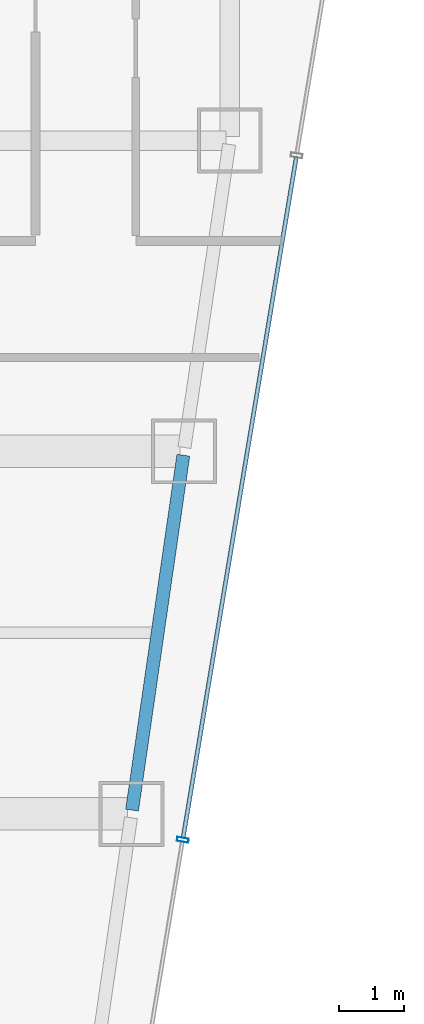
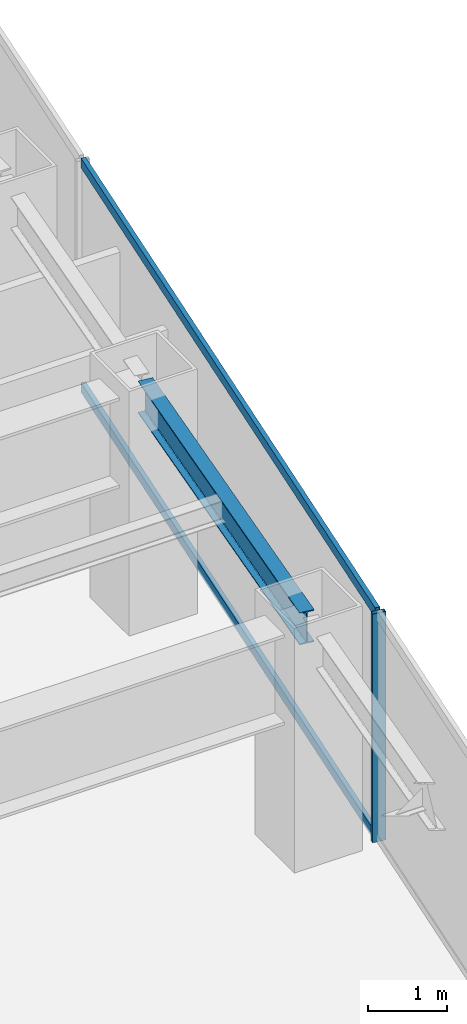
# One storey, part 18 of 37: 3 members, 1 beam, 1 element without a shape of its own.
"""IFC4 building model written with IfcOpenShell, lengths in metres."""

from ifc_helpers import new_model, si_unit, direction, frame, origin, origin_2d, place, context, subcontext, project, spatial, hollow_rectangle, i_section, extrude, material, material_profile, profile_set, type_object, element, aggregate, save


model = new_model("IFC4")

# Units and contexts
model_context = context("Model", 3, precision=1e-05, world=origin(), true_north=direction((0.0, 1.0)))
body_context = subcontext(model_context, "Body", "Model", "MODEL_VIEW")
ifc_project = project(units=[si_unit("LENGTHUNIT", "METRE"), si_unit("AREAUNIT", "SQUARE_METRE"), si_unit("VOLUMEUNIT", "CUBIC_METRE"), si_unit("PLANEANGLEUNIT", "RADIAN"), si_unit("MASSUNIT", "GRAM", prefix="KILO")], contexts=[model_context])

# Site, building, storey
site_placement = place(None, origin())
site = spatial("IfcSite", under=ifc_project, at=site_placement, CompositionType="ELEMENT")
building_placement = place(site_placement, origin())
building = spatial("IfcBuilding", under=site, at=building_placement, Name="Saevonmaru Cultural Tower", CompositionType="ELEMENT")
storey_placement = place(building_placement, frame((0.0, 0.0, 163.800048828125)))
storey = spatial("IfcBuildingStorey", under=building, at=storey_placement, Name="L36", CompositionType="ELEMENT", Elevation=163.800048828125)

# Beam
ifc_material_1 = material(Name="Steel SM355", Category="steel")
ifc_material_profile_1 = material_profile(ifc_material_1, i_section(OverallWidth=0.199951171875, OverallDepth=0.5, WebThickness=0.010009765625, FlangeThickness=0.01611328125, FilletRadius=0.02001953125, at=origin_2d()), Name="H-500x200x10x16")
ifc_profile_set_1 = profile_set([ifc_material_profile_1], Name="Steel SM355")
beam_type = type_object("IfcBeamType", Name="BM-SP-H500", PredefinedType="SPANDREL", material=ifc_profile_set_1)
beam_placement = place(storey_placement, frame((51.691650390625, 32.059326171875, 3.300048828125), z_axis=(0.142964121327, 0.989727871697, 0.0), x_axis=(-0.989727871697, 0.142964121327, 0.0)))
element("IfcBeam", 1, at=beam_placement, inside=storey, type_object=beam_type, Name="L36 East Splayed Spandrel 4", PredefinedType="SPANDREL", context=body_context, shape_type="SweptSolid", body=[
    extrude(i_section(OverallWidth=0.199951171875, OverallDepth=0.5, WebThickness=0.010009765625, FlangeThickness=0.01611328125, FilletRadius=0.02001953125, at=origin_2d()), origin(), (0.0, 0.0, 1.0), 5.5380859375),
])

# Curtain wall, members
ifc_material_2 = material(Name="Satin Bronze Anodised Aluminium", Category="aluminium")
curtain_wall_type = type_object("IfcCurtainWallType", Name="CW-TYP-A", PredefinedType="NOTDEFINED", material=ifc_material_2)
curtain_wall_placement = place(storey_placement, origin())
curtain_wall = element("IfcCurtainWall", 2, at=curtain_wall_placement, inside=storey, type_object=curtain_wall_type, Name="L36 Unitised Curtain Wall E8", PredefinedType="NOTDEFINED")
ifc_material_profile_2 = material_profile(ifc_material_2, hollow_rectangle(XDim=0.06494140625, YDim=0.179931640625, WallThickness=0.00390625, at=origin_2d()), Name="ALU-MULL-180x65x4")
ifc_profile_set_2 = profile_set([ifc_material_profile_2], Name="Satin Bronze Anodised Aluminium")
member_type_1 = type_object("IfcMemberType", Name="ML-CW-180x65", PredefinedType="MULLION", material=ifc_profile_set_2)
member_1_placement = place(storey_placement, frame((52.4755859375, 31.60009765625, 0.0), z_axis=(0.0, 0.0, 1.0), x_axis=(0.163998702345, 0.986460554523, 0.0)))
member_1 = element("IfcMember", 3, at=member_1_placement, type_object=member_type_1, Name="CW-TW-L36-E8 mullion 3", PredefinedType="MULLION", context=body_context, shape_type="SweptSolid", body=[
    extrude(hollow_rectangle(XDim=0.06494140625, YDim=0.179931640625, WallThickness=0.00390625, at=origin_2d()), origin(), (0.0, 0.0, 1.0), 3.550048828125),
])
ifc_material_profile_3 = material_profile(ifc_material_2, hollow_rectangle(XDim=0.06494140625, YDim=0.14990234375, WallThickness=0.00390625, at=origin_2d()), Name="ALU-TRAN-150x65x4")
ifc_profile_set_3 = profile_set([ifc_material_profile_3], Name="Satin Bronze Anodised Aluminium")
member_type_2 = type_object("IfcMemberType", Name="TR-CW-150x65", PredefinedType="USERDEFINED", material=ifc_profile_set_3)
member_2_placement = place(storey_placement, frame((52.48095703125, 31.632080078125, 0.032470703125), z_axis=(0.163990079074, 0.9864619881, 0.0), x_axis=(-0.9864619881, 0.163990079074, 0.0)))
member_2 = element("IfcMember", 4, at=member_2_placement, type_object=member_type_2, Name="CW-TW-L36-E8 transom 3.1", ObjectType="TRANSOM", PredefinedType="USERDEFINED", context=body_context, shape_type="SweptSolid", body=[
    extrude(hollow_rectangle(XDim=0.06494140625, YDim=0.14990234375, WallThickness=0.00390625, at=origin_2d()), origin(), (0.0, 0.0, 1.0), 10.650634765625),
])
member_3_placement = place(storey_placement, frame((52.48095703125, 31.632080078125, 3.517333984375), z_axis=(0.163990079074, 0.9864619881, 0.0), x_axis=(-0.9864619881, 0.163990079074, 0.0)))
member_3 = element("IfcMember", 5, at=member_3_placement, type_object=member_type_2, Name="CW-TW-L36-E8 transom 3.2", ObjectType="TRANSOM", PredefinedType="USERDEFINED", context=body_context, shape_type="SweptSolid", body=[
    extrude(hollow_rectangle(XDim=0.06494140625, YDim=0.14990234375, WallThickness=0.00390625, at=origin_2d()), origin(), (0.0, 0.0, 1.0), 10.650634765625),
])
aggregate(curtain_wall, [member_1, member_2, member_3])

save(model, "model.ifc")
